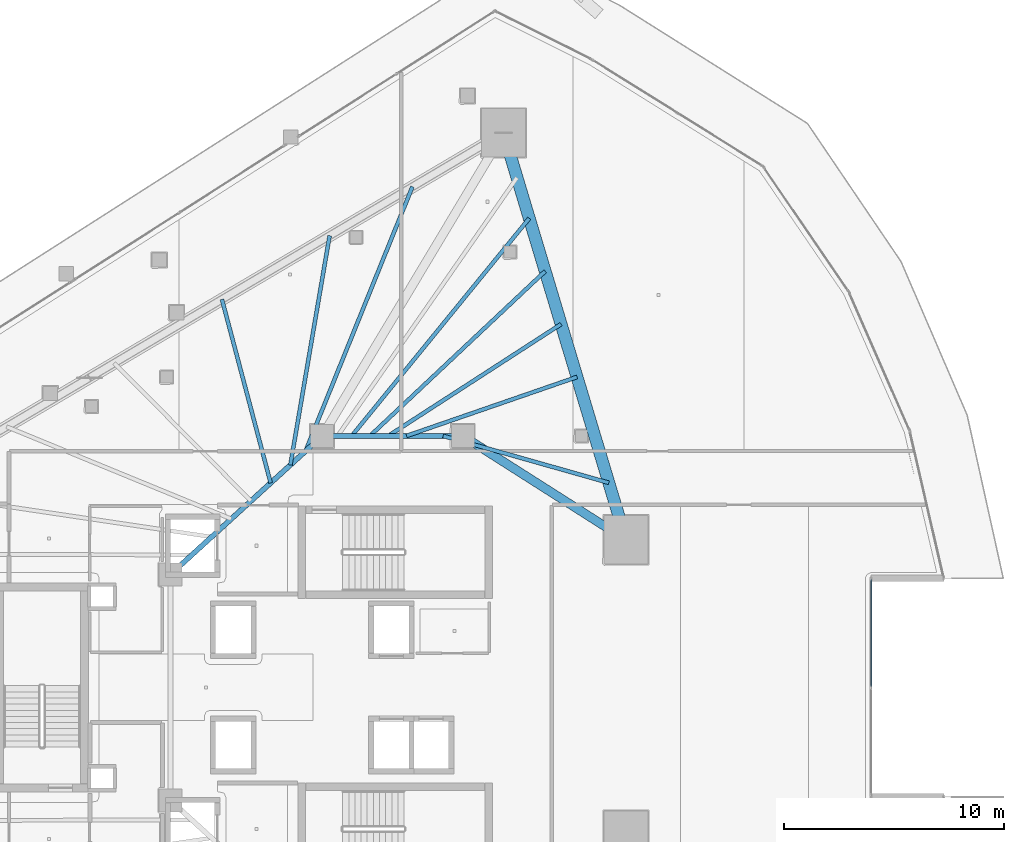
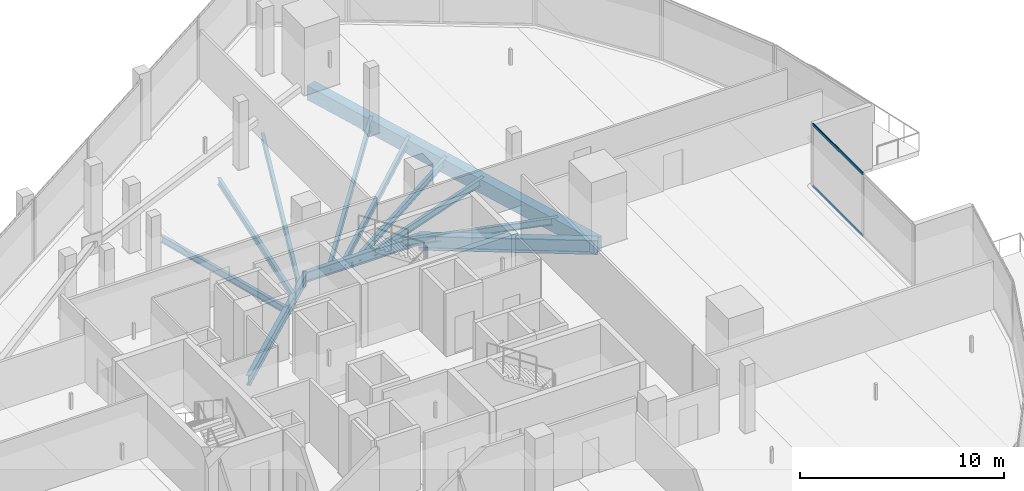
# One storey, part 18 of 45: 12 beams, 2 members, 1 element without a shape of its own.
"""IFC4 building model written with IfcOpenShell, lengths in metres."""

from ifc_helpers import new_model, si_unit, direction, frame, origin, origin_2d, place, context, subcontext, project, spatial, rectangle, hollow_rectangle, i_section, extrude, material, layer, layer_set, material_profile, profile_set, type_object, element, aggregate, save


model = new_model("IFC4")

# Units and contexts
model_context = context("Model", 3, precision=1e-05, world=origin(), true_north=direction((0.0, 1.0)))
body_context = subcontext(model_context, "Body", "Model", "MODEL_VIEW")
ifc_project = project(units=[si_unit("LENGTHUNIT", "METRE"), si_unit("AREAUNIT", "SQUARE_METRE"), si_unit("VOLUMEUNIT", "CUBIC_METRE"), si_unit("PLANEANGLEUNIT", "RADIAN"), si_unit("MASSUNIT", "GRAM", prefix="KILO")], contexts=[model_context])

# Site, building, storey
site_placement = place(None, origin())
site = spatial("IfcSite", under=ifc_project, at=site_placement, CompositionType="ELEMENT")
building_placement = place(site_placement, origin())
building = spatial("IfcBuilding", under=site, at=building_placement, Name="Qorvath Tower", CompositionType="ELEMENT")
storey_placement = place(building_placement, frame((0.0, 0.0, 126.0)))
storey = spatial("IfcBuildingStorey", under=building, at=storey_placement, Name="L28", CompositionType="ELEMENT", Elevation=126.0)

# Beams
ifc_material_1 = material(Name="Steel ASTM A992 Grade 50", Category="steel")
ifc_material_profile_1 = material_profile(ifc_material_1, i_section(OverallWidth=0.39892578125, OverallDepth=0.85498046875, WebThickness=0.018310546875, FlangeThickness=0.029296875, FilletRadius=0.02001953125, at=origin_2d()), Name="W33x201")
ifc_profile_set_1 = profile_set([ifc_material_profile_1], Name="Steel ASTM A992 Grade 50")
beam_type_1 = type_object("IfcBeamType", Name="BM-FG2", PredefinedType="BEAM", material=ifc_profile_set_1)
beam_1_placement = place(storey_placement, frame((-17.199951171875, 11.449951171875, -0.70751953125), z_axis=(0.843634090834, -0.536918542037, 0.0), x_axis=(0.536918542037, 0.843634090834, 0.0)))
element("IfcBeam", 1, at=beam_1_placement, inside=storey, type_object=beam_type_1, Name="Radial Floor Girder CC2-MC5 L28", PredefinedType="BEAM", context=body_context, shape_type="SweptSolid", body=[
    extrude(i_section(OverallWidth=0.39892578125, OverallDepth=0.85498046875, WebThickness=0.018310546875, FlangeThickness=0.029296875, FilletRadius=0.02001953125, at=origin_2d()), origin(), (0.0, 0.0, 1.0), 8.806884765625),
])
ifc_material_2 = material(Name="Steel ASTM A992 Grade 50", Category="steel")
ifc_material_profile_2 = material_profile(ifc_material_2, i_section(OverallWidth=0.22998046875, OverallDepth=0.616943359375, WebThickness=0.01318359375, FlangeThickness=0.022216796875, FilletRadius=0.014892578125, at=origin_2d()), Name="W24x94")
ifc_profile_set_2 = profile_set([ifc_material_profile_2], Name="Steel ASTM A992 Grade 50")
beam_type_2 = type_object("IfcBeamType", Name="BM-FG6", PredefinedType="BEAM", material=ifc_profile_set_2)
beam_2_placement = place(storey_placement, frame((-23.60009765625, 11.449951171875, -0.58837890625), z_axis=(1.0, 0.0, 0.0), x_axis=(0.0, 1.0, 0.0)))
element("IfcBeam", 2, at=beam_2_placement, inside=storey, type_object=beam_type_2, Name="Core Ring Girder CC1-CC2 L28", PredefinedType="BEAM", context=body_context, shape_type="SweptSolid", body=[
    extrude(i_section(OverallWidth=0.22998046875, OverallDepth=0.616943359375, WebThickness=0.01318359375, FlangeThickness=0.022216796875, FilletRadius=0.014892578125, at=origin_2d()), origin(), (0.0, 0.0, 1.0), 6.400146484375),
])
beam_3_placement = place(storey_placement, frame((-30.5, 5.14990234375, -0.58837890625), z_axis=(0.73847813985, 0.6742774184, 0.0), x_axis=(-0.6742774184, 0.73847813985, 0.0)))
element("IfcBeam", 3, at=beam_3_placement, inside=storey, type_object=beam_type_2, Name="Core Ring Girder CC5-CC1 L28", PredefinedType="BEAM", context=body_context, shape_type="SweptSolid", body=[
    extrude(i_section(OverallWidth=0.22998046875, OverallDepth=0.616943359375, WebThickness=0.01318359375, FlangeThickness=0.022216796875, FilletRadius=0.014892578125, at=origin_2d()), origin(), (0.0, 0.0, 1.0), 9.343505859375),
])
ifc_material_3 = material(Name="Steel ASTM A992 Grade 50", Category="steel")
ifc_material_profile_3 = material_profile(ifc_material_3, i_section(OverallWidth=0.177978515625, OverallDepth=0.406005859375, WebThickness=0.0078125, FlangeThickness=0.0126953125, FilletRadius=0.010986328125, at=origin_2d()), Name="W16x40")
ifc_profile_set_3 = profile_set([ifc_material_profile_3], Name="Steel ASTM A992 Grade 50")
beam_type_3 = type_object("IfcBeamType", Name="BM-FJ3", PredefinedType="JOIST", material=ifc_profile_set_3)
beam_4_placement = place(storey_placement, frame((-18.095947265625, 11.449951171875, -0.48291015625), z_axis=(0.962222206221, -0.272265359264, 0.0), x_axis=(0.272265359264, 0.962222206221, 0.0)))
element("IfcBeam", 4, at=beam_4_placement, inside=storey, type_object=beam_type_3, Name="Composite Floor Joist NE1 L28", PredefinedType="JOIST", context=body_context, shape_type="SweptSolid", body=[
    extrude(i_section(OverallWidth=0.177978515625, OverallDepth=0.406005859375, WebThickness=0.0078125, FlangeThickness=0.0126953125, FilletRadius=0.010986328125, at=origin_2d()), origin(), (0.0, 0.0, 1.0), 7.841552734375),
])
beam_5_placement = place(storey_placement, frame((-19.760009765625, 11.449951171875, -0.48291015625), z_axis=(0.945168345309, 0.326583525342, 0.0), x_axis=(-0.326583525342, 0.945168345309, 0.0)))
element("IfcBeam", 5, at=beam_5_placement, inside=storey, type_object=beam_type_3, Name="Composite Floor Joist NE3 L28", PredefinedType="JOIST", context=body_context, shape_type="SweptSolid", body=[
    extrude(i_section(OverallWidth=0.177978515625, OverallDepth=0.406005859375, WebThickness=0.0078125, FlangeThickness=0.0126953125, FilletRadius=0.010986328125, at=origin_2d()), origin(), (0.0, 0.0, 1.0), 8.21044921875),
])
beam_6_placement = place(storey_placement, frame((-20.592041015625, 11.449951171875, -0.48291015625), z_axis=(0.839630966809, 0.543157288062, 0.0), x_axis=(-0.543157288062, 0.839630966809, 0.0)))
element("IfcBeam", 6, at=beam_6_placement, inside=storey, type_object=beam_type_3, Name="Composite Floor Joist NE4 L28", PredefinedType="JOIST", context=body_context, shape_type="SweptSolid", body=[
    extrude(i_section(OverallWidth=0.177978515625, OverallDepth=0.406005859375, WebThickness=0.0078125, FlangeThickness=0.0126953125, FilletRadius=0.010986328125, at=origin_2d()), origin(), (0.0, 0.0, 1.0), 9.370361328125),
])
beam_7_placement = place(storey_placement, frame((-21.424072265625, 11.449951171875, -0.48291015625), z_axis=(0.728572459091, 0.684968737866, 0.0), x_axis=(-0.684968737866, 0.728572459091, 0.0)))
element("IfcBeam", 7, at=beam_7_placement, inside=storey, type_object=beam_type_3, Name="Composite Floor Joist NE5 L28", PredefinedType="JOIST", context=body_context, shape_type="SweptSolid", body=[
    extrude(i_section(OverallWidth=0.177978515625, OverallDepth=0.406005859375, WebThickness=0.0078125, FlangeThickness=0.0126953125, FilletRadius=0.010986328125, at=origin_2d()), origin(), (0.0, 0.0, 1.0), 10.9462890625),
])
beam_8_placement = place(storey_placement, frame((-22.256103515625, 11.449951171875, -0.48291015625), z_axis=(0.632187975212, 0.774815051478, 0.0), x_axis=(-0.774815051478, 0.632187975212, 0.0)))
element("IfcBeam", 8, at=beam_8_placement, inside=storey, type_object=beam_type_3, Name="Composite Floor Joist NE6 L28", PredefinedType="JOIST", context=body_context, shape_type="SweptSolid", body=[
    extrude(i_section(OverallWidth=0.177978515625, OverallDepth=0.406005859375, WebThickness=0.0078125, FlangeThickness=0.0126953125, FilletRadius=0.010986328125, at=origin_2d()), origin(), (0.0, 0.0, 1.0), 12.784912109375),
])
beam_9_placement = place(storey_placement, frame((-25.946044921875, 9.30810546875, -0.48291015625), z_axis=(-0.256507909517, 0.966542131702, 0.0), x_axis=(-0.966542131702, -0.256507909517, 0.0)))
element("IfcBeam", 9, at=beam_9_placement, inside=storey, type_object=beam_type_3, Name="Composite Floor Joist NW5 L28", PredefinedType="JOIST", context=body_context, shape_type="SweptSolid", body=[
    extrude(i_section(OverallWidth=0.177978515625, OverallDepth=0.406005859375, WebThickness=0.0078125, FlangeThickness=0.0126953125, FilletRadius=0.010986328125, at=origin_2d()), origin(), (0.0, 0.0, 1.0), 8.64697265625),
])
beam_10_placement = place(storey_placement, frame((-25.049072265625, 10.126953125, -0.48291015625), z_axis=(0.168745594245, 0.985659639238, 0.0), x_axis=(-0.985659639238, 0.168745594245, 0.0)))
element("IfcBeam", 10, at=beam_10_placement, inside=storey, type_object=beam_type_3, Name="Composite Floor Joist NW6 L28", PredefinedType="JOIST", context=body_context, shape_type="SweptSolid", body=[
    extrude(i_section(OverallWidth=0.177978515625, OverallDepth=0.406005859375, WebThickness=0.0078125, FlangeThickness=0.0126953125, FilletRadius=0.010986328125, at=origin_2d()), origin(), (0.0, 0.0, 1.0), 10.589111328125),
])
beam_11_placement = place(storey_placement, frame((-24.35888671875, 10.757080078125, -0.48291015625), z_axis=(0.37487652097, 0.927074751045, 0.0), x_axis=(-0.927074751045, 0.37487652097, 0.0)))
element("IfcBeam", 11, at=beam_11_placement, inside=storey, type_object=beam_type_3, Name="Composite Floor Joist NW7 L28", PredefinedType="JOIST", context=body_context, shape_type="SweptSolid", body=[
    extrude(i_section(OverallWidth=0.177978515625, OverallDepth=0.406005859375, WebThickness=0.0078125, FlangeThickness=0.0126953125, FilletRadius=0.010986328125, at=origin_2d()), origin(), (0.0, 0.0, 1.0), 12.9833984375),
])
ifc_material_4 = material(Name="Concrete C50/60", Category="concrete")
ifc_material_profile_4 = material_profile(ifc_material_4, rectangle(XDim=0.550048828125, YDim=0.85009765625, at=origin_2d()), Name="RCB 850x550")
ifc_profile_set_4 = profile_set([ifc_material_profile_4], Name="Concrete C50/60")
beam_type_4 = type_object("IfcBeamType", Name="BM-RCB2", PredefinedType="SPANDREL", material=ifc_profile_set_4)
beam_12_placement = place(storey_placement, frame((-9.770263671875, 6.721435546875, -0.705078125), z_axis=(-0.288133952099, 0.957590113591, 0.0), x_axis=(-0.957590113591, -0.288133952099, 0.0)))
element("IfcBeam", 12, at=beam_12_placement, inside=storey, type_object=beam_type_4, Name="Perimeter Loggia Frame Beam MC5-MC6 L28", PredefinedType="SPANDREL", context=body_context, shape_type="SweptSolid", body=[
    extrude(rectangle(XDim=0.550048828125, YDim=0.85009765625, at=origin_2d()), origin(), (0.0, 0.0, 1.0), 19.344970703125),
])

# Curtain wall, members
ifc_material_5 = material(Name="Anodised aluminium and triple low-E glass", Category="aluminium")
ifc_layer = layer(ifc_material_5, 0.179931640625)
ifc_layer_set = layer_set([ifc_layer], Name="CW-SYS-2")
curtain_wall_type = type_object("IfcCurtainWallType", Name="CW-SYS-2", PredefinedType="NOTDEFINED", material=ifc_layer_set)
curtain_wall_placement = place(storey_placement, origin())
curtain_wall = element("IfcCurtainWall", 13, at=curtain_wall_placement, inside=storey, type_object=curtain_wall_type, Name="Curtain Wall CW-2 CW-T-L28-9.1", PredefinedType="NOTDEFINED")
ifc_material_6 = material(Name="Anodised aluminium 6063-T6", Category="aluminium")
ifc_material_profile_5 = material_profile(ifc_material_6, hollow_rectangle(XDim=0.06494140625, YDim=0.159912109375, WallThickness=0.00341796875, InnerFilletRadius=0.00341796875, OuterFilletRadius=0.007080078125, at=origin_2d()), Name="CWT 160x65")
ifc_profile_set_5 = profile_set([ifc_material_profile_5], Name="Anodised aluminium 6063-T6")
member_type = type_object("IfcMemberType", Name="CWT-160", PredefinedType="USERDEFINED", material=ifc_profile_set_5)
member_1_placement = place(storey_placement, frame((1.386962890625, 0.032470703125, 0.032470703125), z_axis=(0.0, 1.0, 0.0), x_axis=(-1.0, 0.0, 0.0)))
member_1 = element("IfcMember", 14, at=member_1_placement, type_object=member_type, Name="CW-2 transom 2.1", ObjectType="TRANSOM", PredefinedType="USERDEFINED", context=body_context, shape_type="SweptSolid", body=[
    extrude(hollow_rectangle(XDim=0.06494140625, YDim=0.159912109375, WallThickness=0.00341796875, InnerFilletRadius=0.00341796875, OuterFilletRadius=0.007080078125, at=origin_2d()), origin(), (0.0, 0.0, 1.0), 4.87060546875),
])
member_2_placement = place(storey_placement, frame((1.386962890625, 0.032470703125, 3.737548828125), z_axis=(0.0, 1.0, 0.0), x_axis=(-1.0, 0.0, 0.0)))
member_2 = element("IfcMember", 15, at=member_2_placement, type_object=member_type, Name="CW-2 transom 2.2", ObjectType="TRANSOM", PredefinedType="USERDEFINED", context=body_context, shape_type="SweptSolid", body=[
    extrude(hollow_rectangle(XDim=0.06494140625, YDim=0.159912109375, WallThickness=0.00341796875, InnerFilletRadius=0.00341796875, OuterFilletRadius=0.007080078125, at=origin_2d()), origin(), (0.0, 0.0, 1.0), 4.87060546875),
])
aggregate(curtain_wall, [member_1, member_2])

save(model, "model.ifc")
